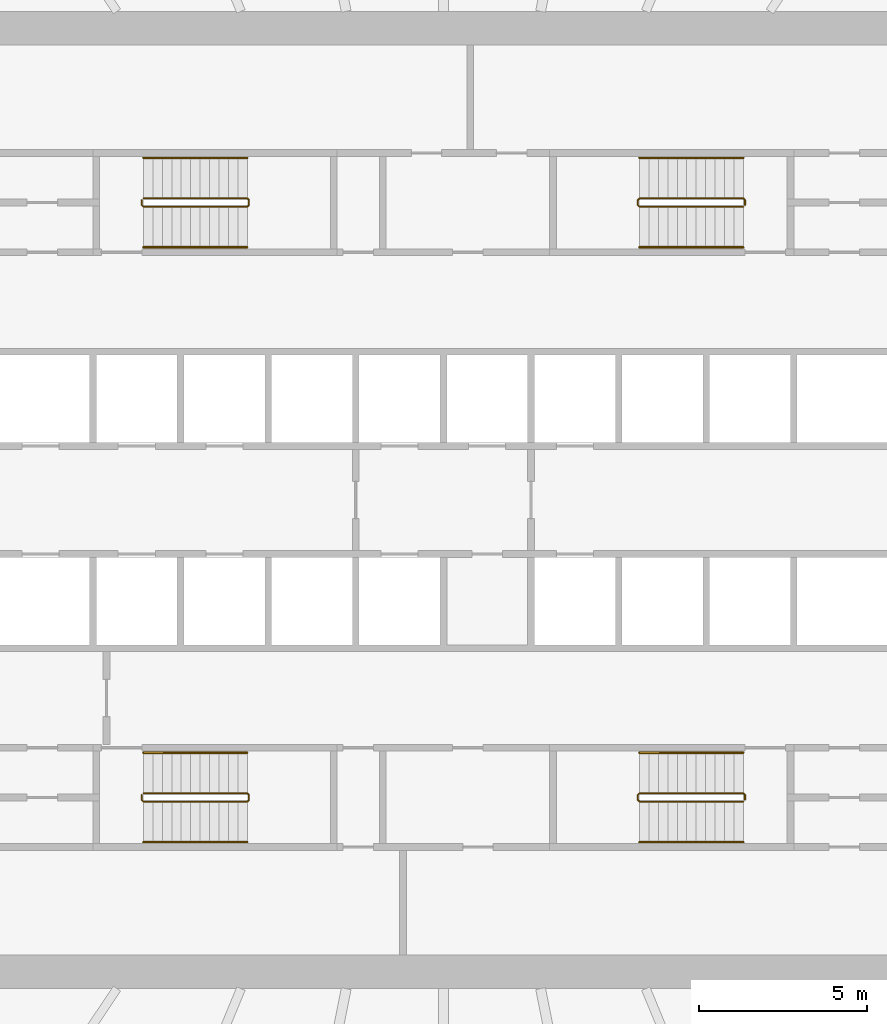
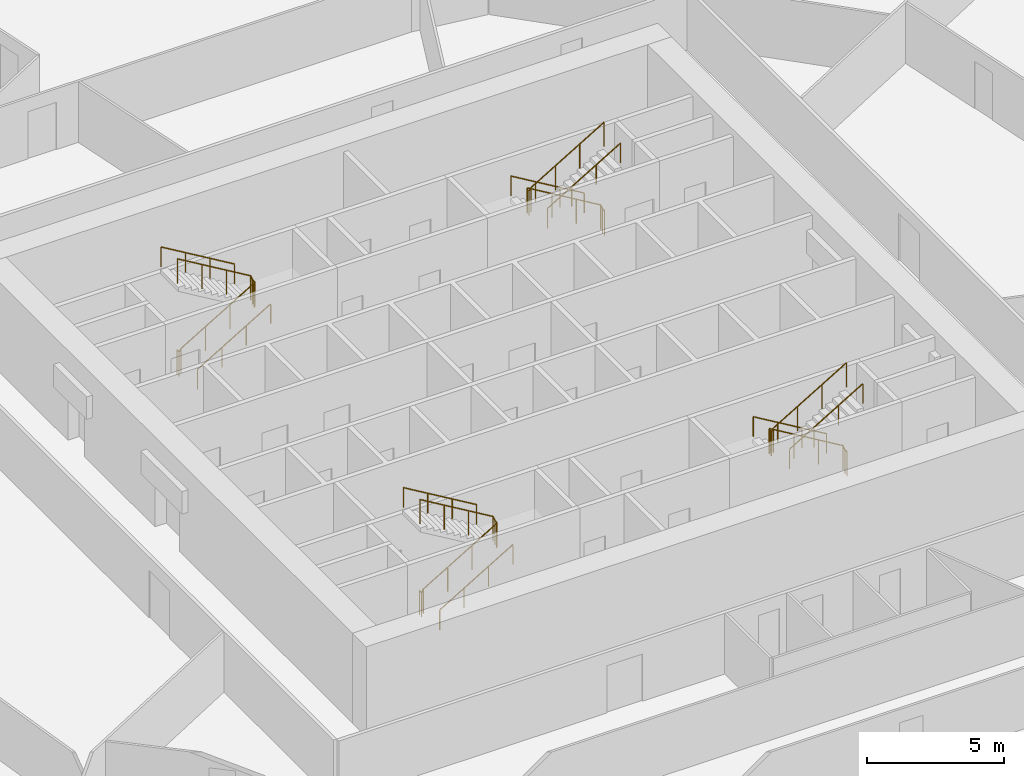
# One storey, part 8 of 8: 12 railings.
"""IFC4 building model written with IfcOpenShell, lengths in metres."""

from ifc_helpers import new_model, si_unit, direction, frame, origin, origin_2d, place, context, subcontext, project, spatial, circle, extrude, material, type_object, element, save


model = new_model("IFC4")

# Units and contexts
model_context = context("Model", 3, precision=1e-05, world=origin(), true_north=direction((0.0, 1.0)))
body_context = subcontext(model_context, "Body", "Model", "MODEL_VIEW")
ifc_project = project(units=[si_unit("LENGTHUNIT", "METRE"), si_unit("AREAUNIT", "SQUARE_METRE"), si_unit("VOLUMEUNIT", "CUBIC_METRE"), si_unit("PLANEANGLEUNIT", "RADIAN"), si_unit("MASSUNIT", "GRAM", prefix="KILO")], contexts=[model_context])

# Site, building, storey
site_placement = place(None, origin())
site = spatial("IfcSite", under=ifc_project, at=site_placement, CompositionType="ELEMENT")
building_placement = place(site_placement, origin())
building = spatial("IfcBuilding", under=site, at=building_placement, Name="Corvane Civic Tower", CompositionType="ELEMENT")
storey_placement = place(building_placement, frame((0.0, 0.0, 110.5)))
storey = spatial("IfcBuildingStorey", under=building, at=storey_placement, Name="L25", CompositionType="ELEMENT", Elevation=110.5)

# Railings
ifc_material_1 = material(Name="Steel ASTM A572 Gr 50", Category="steel")
railing_type_1 = type_object("IfcRailingType", Name="ST-GUARD-1100", PredefinedType="GUARDRAIL", material=ifc_material_1)
railing_1_placement = place(storey_placement, frame((8.949951171875, 8.75, 0.0)))
element("IfcRailing", 1, at=railing_1_placement, inside=storey, type_object=railing_type_1, Name="L25 ST1 stair guard 1", PredefinedType="GUARDRAIL", context=body_context, shape_type="SweptSolid", body=[
    extrude(circle(Radius=0.02392578125, at=origin_2d()), frame((0.0, 0.0, 1.076171875), z_axis=(0.0, 1.0, 0.0), x_axis=(-1.0, 0.0, 0.0)), (0.0, 0.0, 1.0), 0.14990234375),
    extrude(circle(Radius=0.02392578125, at=origin_2d()), frame((0.0, 0.14990234375, 1.076171875), z_axis=(-0.27628659633, 0.27628659633, 0.920506074601), x_axis=(-0.707106781187, -0.707106781187, 0.0)), (0.0, 0.0, 1.0), 0.18115234375),
    extrude(circle(Radius=0.02392578125, at=origin_2d()), frame((-0.050048828125, 0.199951171875, 1.24267578125), z_axis=(-0.859290745958, 0.0, 0.51148745235), x_axis=(0.0, -1.0, 0.0)), (0.0, 0.0, 1.0), 3.584228515625),
    extrude(circle(Radius=0.02392578125, at=origin_2d()), frame((-3.1298828125, 0.199951171875, 3.076171875), z_axis=(-0.707106781187, -0.707106781187, 0.0), x_axis=(0.707106781187, -0.707106781187, 0.0)), (0.0, 0.0, 1.0), 0.07080078125),
    extrude(circle(Radius=0.02392578125, at=origin_2d()), frame((-3.179931640625, 0.14990234375, 3.076171875), z_axis=(0.0, -1.0, 0.0), x_axis=(1.0, 0.0, 0.0)), (0.0, 0.0, 1.0), 0.14990234375),
    extrude(circle(Radius=0.02392578125, at=origin_2d()), frame((-3.179931640625, 0.0, 3.076171875), z_axis=(0.27628659633, -0.27628659633, 0.920506074601), x_axis=(0.707106781187, 0.707106781187, 0.0)), (0.0, 0.0, 1.0), 0.18115234375),
    extrude(circle(Radius=0.02392578125, at=origin_2d()), frame((-3.1298828125, -0.050048828125, 3.24267578125), z_axis=(0.859290745958, 0.0, 0.51148745235), x_axis=(0.0, 1.0, 0.0)), (0.0, 0.0, 1.0), 3.584228515625),
    extrude(circle(Radius=0.02099609375, at=origin_2d()), origin(), (0.0, 0.0, 1.0), 1.052001953125),
    extrude(circle(Radius=0.02099609375, at=origin_2d()), frame((0.0, 0.14990234375, 0.0)), (0.0, 0.0, 1.0), 1.052001953125),
    extrude(circle(Radius=0.02099609375, at=origin_2d()), frame((-0.050048828125, 0.199951171875, 0.166748046875)), (0.0, 0.0, 1.0), 1.052001953125),
    extrude(circle(Radius=0.02099609375, at=origin_2d()), frame((-1.07666015625, 0.199951171875, 0.77783203125)), (0.0, 0.0, 1.0), 1.052001953125),
    extrude(circle(Radius=0.02099609375, at=origin_2d()), frame((-2.103271484375, 0.199951171875, 1.388916015625)), (0.0, 0.0, 1.0), 1.052001953125),
    extrude(circle(Radius=0.02099609375, at=origin_2d()), frame((-3.1298828125, 0.199951171875, 2.0)), (0.0, 0.0, 1.0), 1.052001953125),
    extrude(circle(Radius=0.02099609375, at=origin_2d()), frame((-3.179931640625, 0.14990234375, 2.0)), (0.0, 0.0, 1.0), 1.052001953125),
    extrude(circle(Radius=0.02099609375, at=origin_2d()), frame((-3.179931640625, 0.0, 2.0)), (0.0, 0.0, 1.0), 1.052001953125),
    extrude(circle(Radius=0.02099609375, at=origin_2d()), frame((-3.1298828125, -0.050048828125, 2.166748046875)), (0.0, 0.0, 1.0), 1.052001953125),
    extrude(circle(Radius=0.02099609375, at=origin_2d()), frame((-2.103271484375, -0.050048828125, 2.77783203125)), (0.0, 0.0, 1.0), 1.052001953125),
    extrude(circle(Radius=0.02099609375, at=origin_2d()), frame((-1.07666015625, -0.050048828125, 3.388916015625)), (0.0, 0.0, 1.0), 1.052001953125),
    extrude(circle(Radius=0.02099609375, at=origin_2d()), frame((-0.050048828125, -0.050048828125, 4.0)), (0.0, 0.0, 1.0), 1.052001953125),
])
railing_2_placement = place(storey_placement, frame((8.949951171875, -8.89990234375, 0.0)))
element("IfcRailing", 2, at=railing_2_placement, inside=storey, type_object=railing_type_1, Name="L25 ST2 stair guard 1", PredefinedType="GUARDRAIL", context=body_context, shape_type="SweptSolid", body=[
    extrude(circle(Radius=0.02392578125, at=origin_2d()), frame((0.0, 0.0, 1.076171875), z_axis=(0.0, 1.0, 0.0), x_axis=(-1.0, 0.0, 0.0)), (0.0, 0.0, 1.0), 0.14990234375),
    extrude(circle(Radius=0.02392578125, at=origin_2d()), frame((0.0, 0.14990234375, 1.076171875), z_axis=(-0.27628659633, 0.27628659633, 0.920506074601), x_axis=(-0.707106781187, -0.707106781187, 0.0)), (0.0, 0.0, 1.0), 0.18115234375),
    extrude(circle(Radius=0.02392578125, at=origin_2d()), frame((-0.050048828125, 0.199951171875, 1.24267578125), z_axis=(-0.859290745958, 0.0, 0.51148745235), x_axis=(0.0, -1.0, 0.0)), (0.0, 0.0, 1.0), 3.584228515625),
    extrude(circle(Radius=0.02392578125, at=origin_2d()), frame((-3.1298828125, 0.199951171875, 3.076171875), z_axis=(-0.707106781187, -0.707106781187, 0.0), x_axis=(0.707106781187, -0.707106781187, 0.0)), (0.0, 0.0, 1.0), 0.07080078125),
    extrude(circle(Radius=0.02392578125, at=origin_2d()), frame((-3.179931640625, 0.14990234375, 3.076171875), z_axis=(0.0, -1.0, 0.0), x_axis=(1.0, 0.0, 0.0)), (0.0, 0.0, 1.0), 0.14990234375),
    extrude(circle(Radius=0.02392578125, at=origin_2d()), frame((-3.179931640625, 0.0, 3.076171875), z_axis=(0.27628659633, -0.27628659633, 0.920506074601), x_axis=(0.707106781187, 0.707106781187, 0.0)), (0.0, 0.0, 1.0), 0.18115234375),
    extrude(circle(Radius=0.02392578125, at=origin_2d()), frame((-3.1298828125, -0.050048828125, 3.24267578125), z_axis=(0.859290745958, 0.0, 0.51148745235), x_axis=(0.0, 1.0, 0.0)), (0.0, 0.0, 1.0), 3.584228515625),
    extrude(circle(Radius=0.02099609375, at=origin_2d()), origin(), (0.0, 0.0, 1.0), 1.052001953125),
    extrude(circle(Radius=0.02099609375, at=origin_2d()), frame((0.0, 0.14990234375, 0.0)), (0.0, 0.0, 1.0), 1.052001953125),
    extrude(circle(Radius=0.02099609375, at=origin_2d()), frame((-0.050048828125, 0.199951171875, 0.166748046875)), (0.0, 0.0, 1.0), 1.052001953125),
    extrude(circle(Radius=0.02099609375, at=origin_2d()), frame((-1.07666015625, 0.199951171875, 0.77783203125)), (0.0, 0.0, 1.0), 1.052001953125),
    extrude(circle(Radius=0.02099609375, at=origin_2d()), frame((-2.103271484375, 0.199951171875, 1.388916015625)), (0.0, 0.0, 1.0), 1.052001953125),
    extrude(circle(Radius=0.02099609375, at=origin_2d()), frame((-3.1298828125, 0.199951171875, 2.0)), (0.0, 0.0, 1.0), 1.052001953125),
    extrude(circle(Radius=0.02099609375, at=origin_2d()), frame((-3.179931640625, 0.14990234375, 2.0)), (0.0, 0.0, 1.0), 1.052001953125),
    extrude(circle(Radius=0.02099609375, at=origin_2d()), frame((-3.179931640625, 0.0, 2.0)), (0.0, 0.0, 1.0), 1.052001953125),
    extrude(circle(Radius=0.02099609375, at=origin_2d()), frame((-3.1298828125, -0.050048828125, 2.166748046875)), (0.0, 0.0, 1.0), 1.052001953125),
    extrude(circle(Radius=0.02099609375, at=origin_2d()), frame((-2.103271484375, -0.050048828125, 2.77783203125)), (0.0, 0.0, 1.0), 1.052001953125),
    extrude(circle(Radius=0.02099609375, at=origin_2d()), frame((-1.07666015625, -0.050048828125, 3.388916015625)), (0.0, 0.0, 1.0), 1.052001953125),
    extrude(circle(Radius=0.02099609375, at=origin_2d()), frame((-0.050048828125, -0.050048828125, 4.0)), (0.0, 0.0, 1.0), 1.052001953125),
])
railing_3_placement = place(storey_placement, frame((-8.949951171875, -8.75, 0.0)))
element("IfcRailing", 3, at=railing_3_placement, inside=storey, type_object=railing_type_1, Name="L25 ST3 stair guard 1", PredefinedType="GUARDRAIL", context=body_context, shape_type="SweptSolid", body=[
    extrude(circle(Radius=0.02392578125, at=origin_2d()), frame((0.0, 0.0, 1.076171875), z_axis=(0.0, -1.0, 0.0), x_axis=(1.0, 0.0, 0.0)), (0.0, 0.0, 1.0), 0.14990234375),
    extrude(circle(Radius=0.02392578125, at=origin_2d()), frame((0.0, -0.14990234375, 1.076171875), z_axis=(0.27628659633, -0.27628659633, 0.920506074601), x_axis=(0.707106781187, 0.707106781187, 0.0)), (0.0, 0.0, 1.0), 0.18115234375),
    extrude(circle(Radius=0.02392578125, at=origin_2d()), frame((0.050048828125, -0.199951171875, 1.24267578125), z_axis=(0.859290745958, 0.0, 0.51148745235), x_axis=(0.0, 1.0, 0.0)), (0.0, 0.0, 1.0), 3.584228515625),
    extrude(circle(Radius=0.02392578125, at=origin_2d()), frame((3.1298828125, -0.199951171875, 3.076171875), z_axis=(0.707106781187, 0.707106781187, 0.0), x_axis=(-0.707106781187, 0.707106781187, 0.0)), (0.0, 0.0, 1.0), 0.07080078125),
    extrude(circle(Radius=0.02392578125, at=origin_2d()), frame((3.179931640625, -0.14990234375, 3.076171875), z_axis=(0.0, 1.0, 0.0), x_axis=(-1.0, 0.0, 0.0)), (0.0, 0.0, 1.0), 0.14990234375),
    extrude(circle(Radius=0.02392578125, at=origin_2d()), frame((3.179931640625, 0.0, 3.076171875), z_axis=(-0.27628659633, 0.27628659633, 0.920506074601), x_axis=(-0.707106781187, -0.707106781187, 0.0)), (0.0, 0.0, 1.0), 0.18115234375),
    extrude(circle(Radius=0.02392578125, at=origin_2d()), frame((3.1298828125, 0.050048828125, 3.24267578125), z_axis=(-0.859290745958, 0.0, 0.51148745235), x_axis=(0.0, -1.0, 0.0)), (0.0, 0.0, 1.0), 3.584228515625),
    extrude(circle(Radius=0.02099609375, at=origin_2d()), origin(), (0.0, 0.0, 1.0), 1.052001953125),
    extrude(circle(Radius=0.02099609375, at=origin_2d()), frame((0.0, -0.14990234375, 0.0)), (0.0, 0.0, 1.0), 1.052001953125),
    extrude(circle(Radius=0.02099609375, at=origin_2d()), frame((0.050048828125, -0.199951171875, 0.166748046875)), (0.0, 0.0, 1.0), 1.052001953125),
    extrude(circle(Radius=0.02099609375, at=origin_2d()), frame((1.07666015625, -0.199951171875, 0.77783203125)), (0.0, 0.0, 1.0), 1.052001953125),
    extrude(circle(Radius=0.02099609375, at=origin_2d()), frame((2.103271484375, -0.199951171875, 1.388916015625)), (0.0, 0.0, 1.0), 1.052001953125),
    extrude(circle(Radius=0.02099609375, at=origin_2d()), frame((3.1298828125, -0.199951171875, 2.0)), (0.0, 0.0, 1.0), 1.052001953125),
    extrude(circle(Radius=0.02099609375, at=origin_2d()), frame((3.179931640625, -0.14990234375, 2.0)), (0.0, 0.0, 1.0), 1.052001953125),
    extrude(circle(Radius=0.02099609375, at=origin_2d()), frame((3.179931640625, 0.0, 2.0)), (0.0, 0.0, 1.0), 1.052001953125),
    extrude(circle(Radius=0.02099609375, at=origin_2d()), frame((3.1298828125, 0.050048828125, 2.166748046875)), (0.0, 0.0, 1.0), 1.052001953125),
    extrude(circle(Radius=0.02099609375, at=origin_2d()), frame((2.103271484375, 0.050048828125, 2.77783203125)), (0.0, 0.0, 1.0), 1.052001953125),
    extrude(circle(Radius=0.02099609375, at=origin_2d()), frame((1.07666015625, 0.050048828125, 3.388916015625)), (0.0, 0.0, 1.0), 1.052001953125),
    extrude(circle(Radius=0.02099609375, at=origin_2d()), frame((0.050048828125, 0.050048828125, 4.0)), (0.0, 0.0, 1.0), 1.052001953125),
])
railing_4_placement = place(storey_placement, frame((-8.949951171875, 8.89990234375, 0.0)))
element("IfcRailing", 4, at=railing_4_placement, inside=storey, type_object=railing_type_1, Name="L25 ST4 stair guard 1", PredefinedType="GUARDRAIL", context=body_context, shape_type="SweptSolid", body=[
    extrude(circle(Radius=0.02392578125, at=origin_2d()), frame((0.0, 0.0, 1.076171875), z_axis=(0.0, -1.0, 0.0), x_axis=(1.0, 0.0, 0.0)), (0.0, 0.0, 1.0), 0.14990234375),
    extrude(circle(Radius=0.02392578125, at=origin_2d()), frame((0.0, -0.14990234375, 1.076171875), z_axis=(0.27628659633, -0.27628659633, 0.920506074601), x_axis=(0.707106781187, 0.707106781187, 0.0)), (0.0, 0.0, 1.0), 0.18115234375),
    extrude(circle(Radius=0.02392578125, at=origin_2d()), frame((0.050048828125, -0.199951171875, 1.24267578125), z_axis=(0.859290745958, 0.0, 0.51148745235), x_axis=(0.0, 1.0, 0.0)), (0.0, 0.0, 1.0), 3.584228515625),
    extrude(circle(Radius=0.02392578125, at=origin_2d()), frame((3.1298828125, -0.199951171875, 3.076171875), z_axis=(0.707106781187, 0.707106781187, 0.0), x_axis=(-0.707106781187, 0.707106781187, 0.0)), (0.0, 0.0, 1.0), 0.07080078125),
    extrude(circle(Radius=0.02392578125, at=origin_2d()), frame((3.179931640625, -0.14990234375, 3.076171875), z_axis=(0.0, 1.0, 0.0), x_axis=(-1.0, 0.0, 0.0)), (0.0, 0.0, 1.0), 0.14990234375),
    extrude(circle(Radius=0.02392578125, at=origin_2d()), frame((3.179931640625, 0.0, 3.076171875), z_axis=(-0.27628659633, 0.27628659633, 0.920506074601), x_axis=(-0.707106781187, -0.707106781187, 0.0)), (0.0, 0.0, 1.0), 0.18115234375),
    extrude(circle(Radius=0.02392578125, at=origin_2d()), frame((3.1298828125, 0.050048828125, 3.24267578125), z_axis=(-0.859290745958, 0.0, 0.51148745235), x_axis=(0.0, -1.0, 0.0)), (0.0, 0.0, 1.0), 3.584228515625),
    extrude(circle(Radius=0.02099609375, at=origin_2d()), origin(), (0.0, 0.0, 1.0), 1.052001953125),
    extrude(circle(Radius=0.02099609375, at=origin_2d()), frame((0.0, -0.14990234375, 0.0)), (0.0, 0.0, 1.0), 1.052001953125),
    extrude(circle(Radius=0.02099609375, at=origin_2d()), frame((0.050048828125, -0.199951171875, 0.166748046875)), (0.0, 0.0, 1.0), 1.052001953125),
    extrude(circle(Radius=0.02099609375, at=origin_2d()), frame((1.07666015625, -0.199951171875, 0.77783203125)), (0.0, 0.0, 1.0), 1.052001953125),
    extrude(circle(Radius=0.02099609375, at=origin_2d()), frame((2.103271484375, -0.199951171875, 1.388916015625)), (0.0, 0.0, 1.0), 1.052001953125),
    extrude(circle(Radius=0.02099609375, at=origin_2d()), frame((3.1298828125, -0.199951171875, 2.0)), (0.0, 0.0, 1.0), 1.052001953125),
    extrude(circle(Radius=0.02099609375, at=origin_2d()), frame((3.179931640625, -0.14990234375, 2.0)), (0.0, 0.0, 1.0), 1.052001953125),
    extrude(circle(Radius=0.02099609375, at=origin_2d()), frame((3.179931640625, 0.0, 2.0)), (0.0, 0.0, 1.0), 1.052001953125),
    extrude(circle(Radius=0.02099609375, at=origin_2d()), frame((3.1298828125, 0.050048828125, 2.166748046875)), (0.0, 0.0, 1.0), 1.052001953125),
    extrude(circle(Radius=0.02099609375, at=origin_2d()), frame((2.103271484375, 0.050048828125, 2.77783203125)), (0.0, 0.0, 1.0), 1.052001953125),
    extrude(circle(Radius=0.02099609375, at=origin_2d()), frame((1.07666015625, 0.050048828125, 3.388916015625)), (0.0, 0.0, 1.0), 1.052001953125),
    extrude(circle(Radius=0.02099609375, at=origin_2d()), frame((0.050048828125, 0.050048828125, 4.0)), (0.0, 0.0, 1.0), 1.052001953125),
])
ifc_material_2 = material(Name="Steel ASTM A572 Gr 50", Category="steel")
railing_type_2 = type_object("IfcRailingType", Name="ST-HANDRAIL-900", PredefinedType="HANDRAIL", material=ifc_material_2)
railing_5_placement = place(storey_placement, frame((8.89990234375, 10.14990234375, 0.166748046875)))
element("IfcRailing", 5, at=railing_5_placement, inside=storey, type_object=railing_type_2, Name="L25 ST1 stair handrail 1", PredefinedType="HANDRAIL", context=body_context, shape_type="SweptSolid", body=[
    extrude(circle(Radius=0.02392578125, at=origin_2d()), frame((0.0, 0.0, 0.8759765625), z_axis=(-0.859290745958, 0.0, 0.51148745235), x_axis=(0.0, -1.0, 0.0)), (0.0, 0.0, 1.0), 3.584228515625),
    extrude(circle(Radius=0.02099609375, at=origin_2d()), origin(), (0.0, 0.0, 1.0), 0.851806640625),
    extrude(circle(Radius=0.02099609375, at=origin_2d()), frame((-1.026611328125, 0.0, 0.611083984375)), (0.0, 0.0, 1.0), 0.851806640625),
    extrude(circle(Radius=0.02099609375, at=origin_2d()), frame((-2.05322265625, 0.0, 1.22216796875)), (0.0, 0.0, 1.0), 0.851806640625),
    extrude(circle(Radius=0.02099609375, at=origin_2d()), frame((-3.079833984375, 0.0, 1.833251953125)), (0.0, 0.0, 1.0), 0.851806640625),
])
railing_6_placement = place(storey_placement, frame((5.820068359375, 7.5, 2.166748046875)))
element("IfcRailing", 6, at=railing_6_placement, inside=storey, type_object=railing_type_2, Name="L25 ST1 stair handrail 2", PredefinedType="HANDRAIL", context=body_context, shape_type="SweptSolid", body=[
    extrude(circle(Radius=0.02392578125, at=origin_2d()), frame((0.0, 0.0, 0.8759765625), z_axis=(0.859290745958, 0.0, 0.51148745235), x_axis=(0.0, 1.0, 0.0)), (0.0, 0.0, 1.0), 3.584228515625),
    extrude(circle(Radius=0.02099609375, at=origin_2d()), origin(), (0.0, 0.0, 1.0), 0.851806640625),
    extrude(circle(Radius=0.02099609375, at=origin_2d()), frame((1.026611328125, 0.0, 0.611083984375)), (0.0, 0.0, 1.0), 0.851806640625),
    extrude(circle(Radius=0.02099609375, at=origin_2d()), frame((2.05322265625, 0.0, 1.22216796875)), (0.0, 0.0, 1.0), 0.851806640625),
    extrude(circle(Radius=0.02099609375, at=origin_2d()), frame((3.079833984375, 0.0, 1.833251953125)), (0.0, 0.0, 1.0), 0.851806640625),
])
railing_7_placement = place(storey_placement, frame((8.89990234375, -7.5, 0.166748046875)))
element("IfcRailing", 7, at=railing_7_placement, inside=storey, type_object=railing_type_2, Name="L25 ST2 stair handrail 1", PredefinedType="HANDRAIL", context=body_context, shape_type="SweptSolid", body=[
    extrude(circle(Radius=0.02392578125, at=origin_2d()), frame((0.0, 0.0, 0.8759765625), z_axis=(-0.859290745958, 0.0, 0.51148745235), x_axis=(0.0, -1.0, 0.0)), (0.0, 0.0, 1.0), 3.584228515625),
    extrude(circle(Radius=0.02099609375, at=origin_2d()), origin(), (0.0, 0.0, 1.0), 0.851806640625),
    extrude(circle(Radius=0.02099609375, at=origin_2d()), frame((-1.026611328125, 0.0, 0.611083984375)), (0.0, 0.0, 1.0), 0.851806640625),
    extrude(circle(Radius=0.02099609375, at=origin_2d()), frame((-2.05322265625, 0.0, 1.22216796875)), (0.0, 0.0, 1.0), 0.851806640625),
    extrude(circle(Radius=0.02099609375, at=origin_2d()), frame((-3.079833984375, 0.0, 1.833251953125)), (0.0, 0.0, 1.0), 0.851806640625),
])
for number, where, name in (
    (8, (5.820068359375, -10.14990234375, 2.166748046875), "L25 ST2 stair handrail 2"),
    (9, (-8.89990234375, -10.14990234375, 0.166748046875), "L25 ST3 stair handrail 1"),
):
    element("IfcRailing", number, at=place(storey_placement, frame(where)), inside=storey, type_object=railing_type_2, Name=name, PredefinedType="HANDRAIL", context=body_context, shape_type="SweptSolid", body=[
        extrude(circle(Radius=0.02392578125, at=origin_2d()), frame((0.0, 0.0, 0.8759765625), z_axis=(0.859290745958, 0.0, 0.51148745235), x_axis=(0.0, 1.0, 0.0)), (0.0, 0.0, 1.0), 3.584228515625),
        extrude(circle(Radius=0.02099609375, at=origin_2d()), origin(), (0.0, 0.0, 1.0), 0.851806640625),
        extrude(circle(Radius=0.02099609375, at=origin_2d()), frame((1.026611328125, 0.0, 0.611083984375)), (0.0, 0.0, 1.0), 0.851806640625),
        extrude(circle(Radius=0.02099609375, at=origin_2d()), frame((2.05322265625, 0.0, 1.22216796875)), (0.0, 0.0, 1.0), 0.851806640625),
        extrude(circle(Radius=0.02099609375, at=origin_2d()), frame((3.079833984375, 0.0, 1.833251953125)), (0.0, 0.0, 1.0), 0.851806640625),
    ])
railing_8_placement = place(storey_placement, frame((-5.820068359375, -7.5, 2.166748046875)))
element("IfcRailing", 10, at=railing_8_placement, inside=storey, type_object=railing_type_2, Name="L25 ST3 stair handrail 2", PredefinedType="HANDRAIL", context=body_context, shape_type="SweptSolid", body=[
    extrude(circle(Radius=0.02392578125, at=origin_2d()), frame((0.0, 0.0, 0.8759765625), z_axis=(-0.859290745958, 0.0, 0.51148745235), x_axis=(0.0, -1.0, 0.0)), (0.0, 0.0, 1.0), 3.584228515625),
    extrude(circle(Radius=0.02099609375, at=origin_2d()), origin(), (0.0, 0.0, 1.0), 0.851806640625),
    extrude(circle(Radius=0.02099609375, at=origin_2d()), frame((-1.026611328125, 0.0, 0.611083984375)), (0.0, 0.0, 1.0), 0.851806640625),
    extrude(circle(Radius=0.02099609375, at=origin_2d()), frame((-2.05322265625, 0.0, 1.22216796875)), (0.0, 0.0, 1.0), 0.851806640625),
    extrude(circle(Radius=0.02099609375, at=origin_2d()), frame((-3.079833984375, 0.0, 1.833251953125)), (0.0, 0.0, 1.0), 0.851806640625),
])
railing_9_placement = place(storey_placement, frame((-8.89990234375, 7.5, 0.166748046875)))
element("IfcRailing", 11, at=railing_9_placement, inside=storey, type_object=railing_type_2, Name="L25 ST4 stair handrail 1", PredefinedType="HANDRAIL", context=body_context, shape_type="SweptSolid", body=[
    extrude(circle(Radius=0.02392578125, at=origin_2d()), frame((0.0, 0.0, 0.8759765625), z_axis=(0.859290745958, 0.0, 0.51148745235), x_axis=(0.0, 1.0, 0.0)), (0.0, 0.0, 1.0), 3.584228515625),
    extrude(circle(Radius=0.02099609375, at=origin_2d()), origin(), (0.0, 0.0, 1.0), 0.851806640625),
    extrude(circle(Radius=0.02099609375, at=origin_2d()), frame((1.026611328125, 0.0, 0.611083984375)), (0.0, 0.0, 1.0), 0.851806640625),
    extrude(circle(Radius=0.02099609375, at=origin_2d()), frame((2.05322265625, 0.0, 1.22216796875)), (0.0, 0.0, 1.0), 0.851806640625),
    extrude(circle(Radius=0.02099609375, at=origin_2d()), frame((3.079833984375, 0.0, 1.833251953125)), (0.0, 0.0, 1.0), 0.851806640625),
])
railing_10_placement = place(storey_placement, frame((-5.820068359375, 10.14990234375, 2.166748046875)))
element("IfcRailing", 12, at=railing_10_placement, inside=storey, type_object=railing_type_2, Name="L25 ST4 stair handrail 2", PredefinedType="HANDRAIL", context=body_context, shape_type="SweptSolid", body=[
    extrude(circle(Radius=0.02392578125, at=origin_2d()), frame((0.0, 0.0, 0.8759765625), z_axis=(-0.859290745958, 0.0, 0.51148745235), x_axis=(0.0, -1.0, 0.0)), (0.0, 0.0, 1.0), 3.584228515625),
    extrude(circle(Radius=0.02099609375, at=origin_2d()), origin(), (0.0, 0.0, 1.0), 0.851806640625),
    extrude(circle(Radius=0.02099609375, at=origin_2d()), frame((-1.026611328125, 0.0, 0.611083984375)), (0.0, 0.0, 1.0), 0.851806640625),
    extrude(circle(Radius=0.02099609375, at=origin_2d()), frame((-2.05322265625, 0.0, 1.22216796875)), (0.0, 0.0, 1.0), 0.851806640625),
    extrude(circle(Radius=0.02099609375, at=origin_2d()), frame((-3.079833984375, 0.0, 1.833251953125)), (0.0, 0.0, 1.0), 0.851806640625),
])

save(model, "model.ifc")
